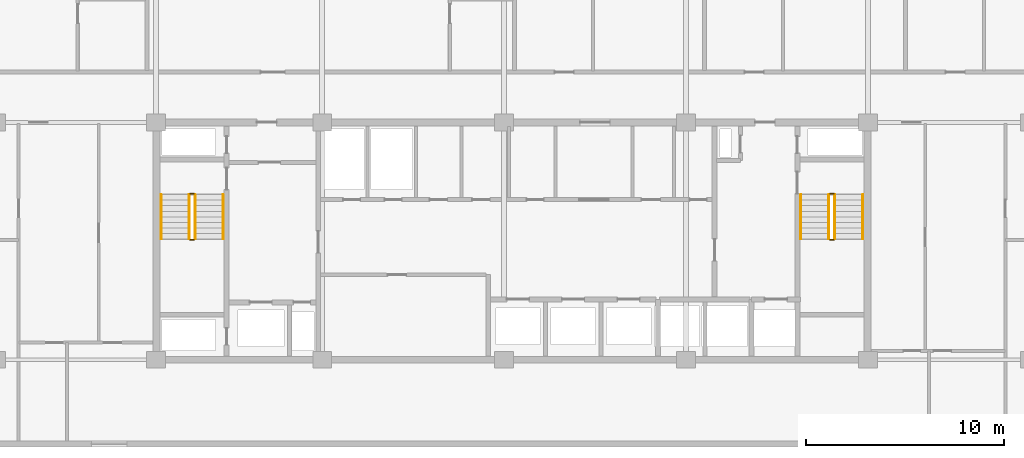
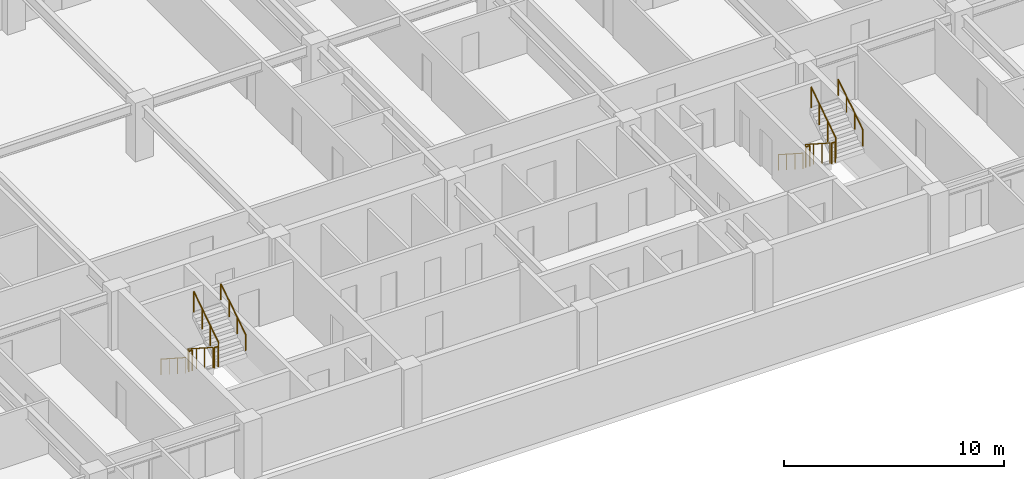
# One storey, part 20 of 21: 12 railings.
"""IFC4 building model written with IfcOpenShell, lengths in metres."""

from ifc_helpers import new_model, si_unit, direction, frame, origin, origin_2d, place, context, subcontext, project, spatial, circle, extrude, material, type_object, element, save


model = new_model("IFC4")

# Units and contexts
model_context = context("Model", 3, precision=1e-05, world=origin(), true_north=direction((0.0, 1.0)))
body_context = subcontext(model_context, "Body", "Model", "MODEL_VIEW")
ifc_project = project(units=[si_unit("LENGTHUNIT", "METRE"), si_unit("AREAUNIT", "SQUARE_METRE"), si_unit("VOLUMEUNIT", "CUBIC_METRE"), si_unit("PLANEANGLEUNIT", "RADIAN"), si_unit("MASSUNIT", "GRAM", prefix="KILO")], contexts=[model_context])

# Site, building, storey
site_placement = place(None, origin())
site = spatial("IfcSite", under=ifc_project, at=site_placement, CompositionType="ELEMENT")
building_placement = place(site_placement, origin())
building = spatial("IfcBuilding", under=site, at=building_placement, Name="Korimba Cascade Residences", CompositionType="ELEMENT")
storey_placement = place(building_placement, frame((0.0, 0.0, 100.300048828125)))
storey = spatial("IfcBuildingStorey", under=building, at=storey_placement, Name="L28", CompositionType="ELEMENT", Elevation=100.300048828125)

# Railings
ifc_material_1 = material(Name="Painted Steel Stairwell Guardrail", Category="steel")
railing_type_1 = type_object("IfcRailingType", Name="RLG-ST-GD1150", PredefinedType="GUARDRAIL", material=ifc_material_1)
railing_1_placement = place(storey_placement, frame((77.77001953125, 63.550048828125, 0.180419921875)))
element("IfcRailing", 1, at=railing_1_placement, inside=storey, type_object=railing_type_1, Name="L28 ST-W1 stair guard 1", PredefinedType="GUARDRAIL", context=body_context, shape_type="SweptSolid", body=[
    extrude(circle(Radius=0.02392578125, at=origin_2d()), frame((0.0, 0.0, 1.1259765625), z_axis=(0.0, -0.840394893359, 0.541974559565), x_axis=(1.0, 0.0, 0.0)), (0.0, 0.0, 1.0), 2.665283203125),
    extrude(circle(Radius=0.02099609375, at=origin_2d()), origin(), (0.0, 0.0, 1.0), 1.101806640625),
    extrude(circle(Radius=0.02099609375, at=origin_2d()), frame((0.0, -0.74658203125, 0.4814453125)), (0.0, 0.0, 1.0), 1.101806640625),
    extrude(circle(Radius=0.02099609375, at=origin_2d()), frame((0.0, -1.493408203125, 0.963134765625)), (0.0, 0.0, 1.0), 1.101806640625),
    extrude(circle(Radius=0.02099609375, at=origin_2d()), frame((0.0, -2.239990234375, 1.444580078125)), (0.0, 0.0, 1.0), 1.101806640625),
])
railing_2_placement = place(storey_placement, frame((77.820068359375, 61.260009765625, 1.625)))
element("IfcRailing", 2, at=railing_2_placement, inside=storey, type_object=railing_type_1, Name="L28 ST-W1 stair guard 2", PredefinedType="GUARDRAIL", context=body_context, shape_type="SweptSolid", body=[
    extrude(circle(Radius=0.02392578125, at=origin_2d()), frame((0.0, 0.0, 1.1259765625), z_axis=(1.0, 0.0, 0.0), x_axis=(0.0, 1.0, 0.0)), (0.0, 0.0, 1.0), 0.199951171875),
    extrude(circle(Radius=0.02099609375, at=origin_2d()), origin(), (0.0, 0.0, 1.0), 1.101806640625),
    extrude(circle(Radius=0.02099609375, at=origin_2d()), frame((0.199951171875, 0.0, 0.0)), (0.0, 0.0, 1.0), 1.101806640625),
])
railing_3_placement = place(storey_placement, frame((78.070068359375, 61.31005859375, 1.805419921875)))
element("IfcRailing", 3, at=railing_3_placement, inside=storey, type_object=railing_type_1, Name="L28 ST-W1 stair guard 3", PredefinedType="GUARDRAIL", context=body_context, shape_type="SweptSolid", body=[
    extrude(circle(Radius=0.02392578125, at=origin_2d()), frame((0.0, 0.0, 1.1259765625), z_axis=(0.0, 0.840394893359, 0.541974559565), x_axis=(-1.0, 0.0, 0.0)), (0.0, 0.0, 1.0), 2.665283203125),
    extrude(circle(Radius=0.02099609375, at=origin_2d()), origin(), (0.0, 0.0, 1.0), 1.101806640625),
    extrude(circle(Radius=0.02099609375, at=origin_2d()), frame((0.0, 0.74658203125, 0.4814453125)), (0.0, 0.0, 1.0), 1.101806640625),
    extrude(circle(Radius=0.02099609375, at=origin_2d()), frame((0.0, 1.493408203125, 0.963134765625)), (0.0, 0.0, 1.0), 1.101806640625),
    extrude(circle(Radius=0.02099609375, at=origin_2d()), frame((0.0, 2.239990234375, 1.444580078125)), (0.0, 0.0, 1.0), 1.101806640625),
])
railing_4_placement = place(storey_placement, frame((77.820068359375, 63.60009765625, 0.0)))
element("IfcRailing", 4, at=railing_4_placement, inside=storey, type_object=railing_type_1, Name="L28 ST-W1 stair guard 4", PredefinedType="GUARDRAIL", context=body_context, shape_type="SweptSolid", body=[
    extrude(circle(Radius=0.02392578125, at=origin_2d()), frame((0.0, 0.0, 1.1259765625), z_axis=(1.0, 0.0, 0.0), x_axis=(0.0, 1.0, 0.0)), (0.0, 0.0, 1.0), 0.199951171875),
    extrude(circle(Radius=0.02099609375, at=origin_2d()), origin(), (0.0, 0.0, 1.0), 1.101806640625),
    extrude(circle(Radius=0.02099609375, at=origin_2d()), frame((0.199951171875, 0.0, 0.0)), (0.0, 0.0, 1.0), 1.101806640625),
])
railing_5_placement = place(storey_placement, frame((110.1298828125, 63.550048828125, 0.180419921875)))
element("IfcRailing", 5, at=railing_5_placement, inside=storey, type_object=railing_type_1, Name="L28 ST-W2 stair guard 1", PredefinedType="GUARDRAIL", context=body_context, shape_type="SweptSolid", body=[
    extrude(circle(Radius=0.02392578125, at=origin_2d()), frame((0.0, 0.0, 1.1259765625), z_axis=(0.0, -0.840394893359, 0.541974559565), x_axis=(1.0, 0.0, 0.0)), (0.0, 0.0, 1.0), 2.665283203125),
    extrude(circle(Radius=0.02099609375, at=origin_2d()), origin(), (0.0, 0.0, 1.0), 1.101806640625),
    extrude(circle(Radius=0.02099609375, at=origin_2d()), frame((0.0, -0.74658203125, 0.4814453125)), (0.0, 0.0, 1.0), 1.101806640625),
    extrude(circle(Radius=0.02099609375, at=origin_2d()), frame((0.0, -1.493408203125, 0.963134765625)), (0.0, 0.0, 1.0), 1.101806640625),
    extrude(circle(Radius=0.02099609375, at=origin_2d()), frame((0.0, -2.239990234375, 1.444580078125)), (0.0, 0.0, 1.0), 1.101806640625),
])
railing_6_placement = place(storey_placement, frame((110.179931640625, 61.260009765625, 1.625)))
element("IfcRailing", 6, at=railing_6_placement, inside=storey, type_object=railing_type_1, Name="L28 ST-W2 stair guard 2", PredefinedType="GUARDRAIL", context=body_context, shape_type="SweptSolid", body=[
    extrude(circle(Radius=0.02392578125, at=origin_2d()), frame((0.0, 0.0, 1.1259765625), z_axis=(1.0, 0.0, 0.0), x_axis=(0.0, 1.0, 0.0)), (0.0, 0.0, 1.0), 0.199951171875),
    extrude(circle(Radius=0.02099609375, at=origin_2d()), origin(), (0.0, 0.0, 1.0), 1.101806640625),
    extrude(circle(Radius=0.02099609375, at=origin_2d()), frame((0.199951171875, 0.0, 0.0)), (0.0, 0.0, 1.0), 1.101806640625),
])
railing_7_placement = place(storey_placement, frame((110.429931640625, 61.31005859375, 1.805419921875)))
element("IfcRailing", 7, at=railing_7_placement, inside=storey, type_object=railing_type_1, Name="L28 ST-W2 stair guard 3", PredefinedType="GUARDRAIL", context=body_context, shape_type="SweptSolid", body=[
    extrude(circle(Radius=0.02392578125, at=origin_2d()), frame((0.0, 0.0, 1.1259765625), z_axis=(0.0, 0.840394893359, 0.541974559565), x_axis=(-1.0, 0.0, 0.0)), (0.0, 0.0, 1.0), 2.665283203125),
    extrude(circle(Radius=0.02099609375, at=origin_2d()), origin(), (0.0, 0.0, 1.0), 1.101806640625),
    extrude(circle(Radius=0.02099609375, at=origin_2d()), frame((0.0, 0.74658203125, 0.4814453125)), (0.0, 0.0, 1.0), 1.101806640625),
    extrude(circle(Radius=0.02099609375, at=origin_2d()), frame((0.0, 1.493408203125, 0.963134765625)), (0.0, 0.0, 1.0), 1.101806640625),
    extrude(circle(Radius=0.02099609375, at=origin_2d()), frame((0.0, 2.239990234375, 1.444580078125)), (0.0, 0.0, 1.0), 1.101806640625),
])
railing_8_placement = place(storey_placement, frame((110.179931640625, 63.60009765625, 0.0)))
element("IfcRailing", 8, at=railing_8_placement, inside=storey, type_object=railing_type_1, Name="L28 ST-W2 stair guard 4", PredefinedType="GUARDRAIL", context=body_context, shape_type="SweptSolid", body=[
    extrude(circle(Radius=0.02392578125, at=origin_2d()), frame((0.0, 0.0, 1.1259765625), z_axis=(1.0, 0.0, 0.0), x_axis=(0.0, 1.0, 0.0)), (0.0, 0.0, 1.0), 0.199951171875),
    extrude(circle(Radius=0.02099609375, at=origin_2d()), origin(), (0.0, 0.0, 1.0), 1.101806640625),
    extrude(circle(Radius=0.02099609375, at=origin_2d()), frame((0.199951171875, 0.0, 0.0)), (0.0, 0.0, 1.0), 1.101806640625),
])
ifc_material_2 = material(Name="Brushed Stainless Steel Handrail", Category="steel")
railing_type_2 = type_object("IfcRailingType", Name="RLG-ST-HR900", PredefinedType="HANDRAIL", material=ifc_material_2)
railing_9_placement = place(storey_placement, frame((76.35009765625, 63.550048828125, 0.364990234375)))
element("IfcRailing", 9, at=railing_9_placement, inside=storey, type_object=railing_type_2, Name="L28 ST-W1 stair handrail 1", PredefinedType="HANDRAIL", context=body_context, shape_type="SweptSolid", body=[
    extrude(circle(Radius=0.02392578125, at=origin_2d()), frame((0.0, 0.0, 0.8759765625), z_axis=(0.0, -0.840436612492, 0.541909863706), x_axis=(1.0, 0.0, 0.0)), (0.0, 0.0, 1.0), 2.665283203125),
    extrude(circle(Radius=0.02099609375, at=origin_2d()), origin(), (0.0, 0.0, 1.0), 0.851806640625),
    extrude(circle(Radius=0.02099609375, at=origin_2d()), frame((0.0, -0.74658203125, 0.4814453125)), (0.0, 0.0, 1.0), 0.851806640625),
    extrude(circle(Radius=0.02099609375, at=origin_2d()), frame((0.0, -1.493408203125, 0.962890625)), (0.0, 0.0, 1.0), 0.851806640625),
    extrude(circle(Radius=0.02099609375, at=origin_2d()), frame((0.0, -2.239990234375, 1.4443359375)), (0.0, 0.0, 1.0), 0.851806640625),
])
railing_10_placement = place(storey_placement, frame((79.489990234375, 61.31005859375, 1.989990234375)))
element("IfcRailing", 10, at=railing_10_placement, inside=storey, type_object=railing_type_2, Name="L28 ST-W1 stair handrail 2", PredefinedType="HANDRAIL", context=body_context, shape_type="SweptSolid", body=[
    extrude(circle(Radius=0.02392578125, at=origin_2d()), frame((0.0, 0.0, 0.8759765625), z_axis=(0.0, 0.840436612492, 0.541909863706), x_axis=(-1.0, 0.0, 0.0)), (0.0, 0.0, 1.0), 2.665283203125),
    extrude(circle(Radius=0.02099609375, at=origin_2d()), origin(), (0.0, 0.0, 1.0), 0.851806640625),
    extrude(circle(Radius=0.02099609375, at=origin_2d()), frame((0.0, 0.74658203125, 0.4814453125)), (0.0, 0.0, 1.0), 0.851806640625),
    extrude(circle(Radius=0.02099609375, at=origin_2d()), frame((0.0, 1.493408203125, 0.962890625)), (0.0, 0.0, 1.0), 0.851806640625),
    extrude(circle(Radius=0.02099609375, at=origin_2d()), frame((0.0, 2.239990234375, 1.4443359375)), (0.0, 0.0, 1.0), 0.851806640625),
])
railing_11_placement = place(storey_placement, frame((108.7099609375, 63.550048828125, 0.364990234375)))
element("IfcRailing", 11, at=railing_11_placement, inside=storey, type_object=railing_type_2, Name="L28 ST-W2 stair handrail 1", PredefinedType="HANDRAIL", context=body_context, shape_type="SweptSolid", body=[
    extrude(circle(Radius=0.02392578125, at=origin_2d()), frame((0.0, 0.0, 0.8759765625), z_axis=(0.0, -0.840436612492, 0.541909863706), x_axis=(1.0, 0.0, 0.0)), (0.0, 0.0, 1.0), 2.665283203125),
    extrude(circle(Radius=0.02099609375, at=origin_2d()), origin(), (0.0, 0.0, 1.0), 0.851806640625),
    extrude(circle(Radius=0.02099609375, at=origin_2d()), frame((0.0, -0.74658203125, 0.4814453125)), (0.0, 0.0, 1.0), 0.851806640625),
    extrude(circle(Radius=0.02099609375, at=origin_2d()), frame((0.0, -1.493408203125, 0.962890625)), (0.0, 0.0, 1.0), 0.851806640625),
    extrude(circle(Radius=0.02099609375, at=origin_2d()), frame((0.0, -2.239990234375, 1.4443359375)), (0.0, 0.0, 1.0), 0.851806640625),
])
railing_12_placement = place(storey_placement, frame((111.85009765625, 61.31005859375, 1.989990234375)))
element("IfcRailing", 12, at=railing_12_placement, inside=storey, type_object=railing_type_2, Name="L28 ST-W2 stair handrail 2", PredefinedType="HANDRAIL", context=body_context, shape_type="SweptSolid", body=[
    extrude(circle(Radius=0.02392578125, at=origin_2d()), frame((0.0, 0.0, 0.8759765625), z_axis=(0.0, 0.840436612492, 0.541909863706), x_axis=(-1.0, 0.0, 0.0)), (0.0, 0.0, 1.0), 2.665283203125),
    extrude(circle(Radius=0.02099609375, at=origin_2d()), origin(), (0.0, 0.0, 1.0), 0.851806640625),
    extrude(circle(Radius=0.02099609375, at=origin_2d()), frame((0.0, 0.74658203125, 0.4814453125)), (0.0, 0.0, 1.0), 0.851806640625),
    extrude(circle(Radius=0.02099609375, at=origin_2d()), frame((0.0, 1.493408203125, 0.962890625)), (0.0, 0.0, 1.0), 0.851806640625),
    extrude(circle(Radius=0.02099609375, at=origin_2d()), frame((0.0, 2.239990234375, 1.4443359375)), (0.0, 0.0, 1.0), 0.851806640625),
])

save(model, "model.ifc")
